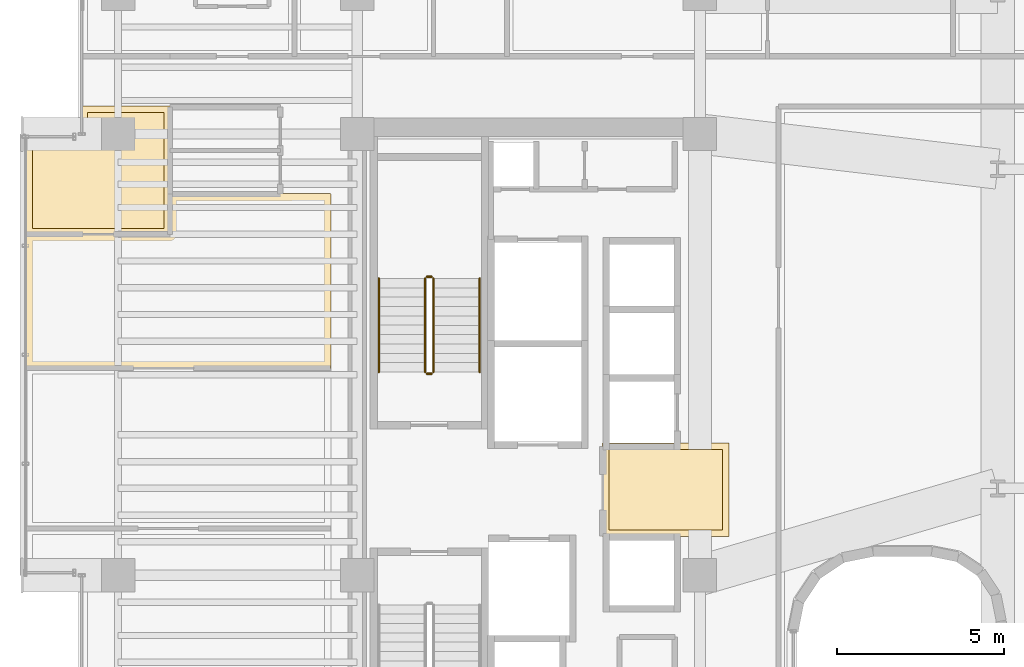
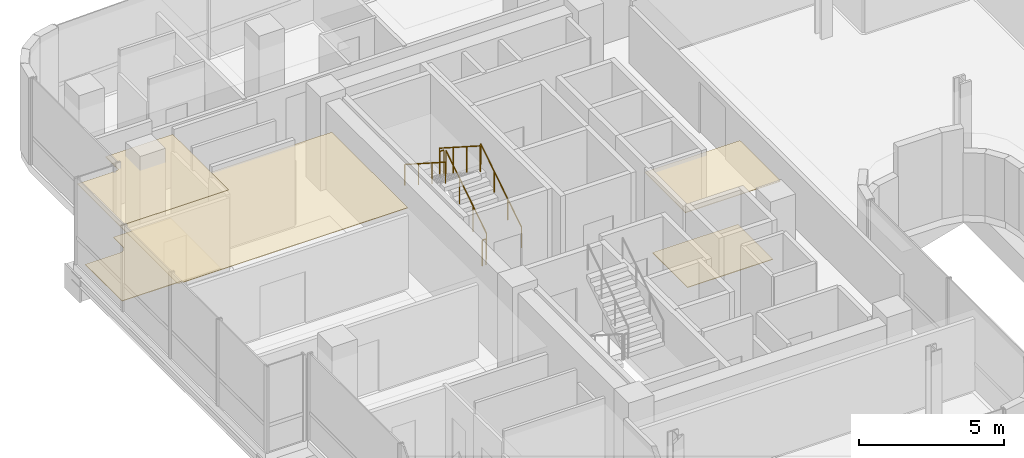
# One storey, part 33 of 38: 6 railings, 5 coverings.
"""IFC4 building model written with IfcOpenShell, lengths in metres."""

from ifc_helpers import new_model, si_unit, direction, frame, origin, origin_2d, place, context, subcontext, project, spatial, polyline, circle, outline, extrude, material, layer, layer_set, type_object, element, save


model = new_model("IFC4")

# Units and contexts
model_context = context("Model", 3, precision=1e-05, world=origin(), true_north=direction((0.0, 1.0)))
body_context = subcontext(model_context, "Body", "Model", "MODEL_VIEW")
ifc_project = project(units=[si_unit("LENGTHUNIT", "METRE"), si_unit("AREAUNIT", "SQUARE_METRE"), si_unit("VOLUMEUNIT", "CUBIC_METRE"), si_unit("PLANEANGLEUNIT", "RADIAN"), si_unit("MASSUNIT", "GRAM", prefix="KILO")], contexts=[model_context])

# Site, building, storey
site_placement = place(None, origin())
site = spatial("IfcSite", under=ifc_project, at=site_placement, CompositionType="ELEMENT")
building_placement = place(site_placement, origin())
building = spatial("IfcBuilding", under=site, at=building_placement, Name="Valdorenza Pilgrim Sanctuary Tower", CompositionType="ELEMENT")
storey_placement = place(building_placement, frame((0.0, 0.0, 180.5)))
storey = spatial("IfcBuildingStorey", under=building, at=storey_placement, Name="L46", CompositionType="ELEMENT", Elevation=180.5)

# Coverings
ifc_material_1 = material(Name="Micro-perforated acoustic mineral ceiling tile", Category="gypsum")
ifc_layer_1 = layer(ifc_material_1, 0.02490234375, Name="Micro-perforated acoustic mineral ceiling tile")
ifc_layer_set_1 = layer_set([ifc_layer_1], Name="Micro-perforated acoustic mineral ceiling tile")
covering_type_1 = type_object("IfcCoveringType", Name="COV-CLG-ACU", PredefinedType="CEILING", material=ifc_layer_set_1)
covering_1_placement = place(storey_placement, frame((0.0, 0.0, 3.330078125)))
element("IfcCovering", 1, at=covering_1_placement, inside=storey, type_object=covering_type_1, Name="L46 Core A Passenger Lift Lobby Acoustic Ceiling", PredefinedType="CEILING", context=body_context, shape_type="SweptSolid", body=[
    extrude(outline(polyline([(-15.31298828125, 1.244384765625), (-15.31298828125, 1.24462890625), (-15.313720703125, 1.24609375), (-15.314208984375, 1.24755859375), (-15.314697265625, 1.2490234375), (-15.31494140625, 1.25048828125), (-15.31494140625, 1.251953125), (-15.31494140625, 1.35009765625), (-15.31494140625, 1.3515625), (-15.314697265625, 1.352783203125), (-15.314453125, 1.3544921875), (-15.31396484375, 1.355712890625), (-15.313232421875, 1.357177734375), (-15.3125, 1.3583984375), (-15.3115234375, 1.359619140625), (-15.310546875, 1.360595703125), (-15.3095703125, 1.361572265625), (-15.308349609375, 1.362548828125), (-15.30712890625, 1.36328125), (-15.3056640625, 1.364013671875), (-15.304443359375, 1.364501953125), (-15.302978515625, 1.36474609375), (-15.301513671875, 1.364990234375), (-15.300048828125, 1.364990234375), (-15.10205078125, 1.364990234375), (-15.1005859375, 1.364990234375), (-15.09912109375, 1.36474609375), (-15.097412109375, 1.3642578125), (-15.09619140625, 1.36376953125), (-15.0947265625, 1.363037109375), (-15.094482421875, 1.363037109375), (-13.185546875, 1.363037109375), (-13.185302734375, 1.363037109375), (-13.183837890625, 1.36376953125), (-13.1826171875, 1.3642578125), (-13.180908203125, 1.36474609375), (-13.179443359375, 1.364990234375), (-13.177978515625, 1.364990234375), (-11.550048828125, 1.364990234375), (-11.548583984375, 1.364990234375), (-11.547119140625, 1.36474609375), (-11.545654296875, 1.364501953125), (-11.544189453125, 1.364013671875), (-11.54296875, 1.36328125), (-11.541748046875, 1.362548828125), (-11.54052734375, 1.361572265625), (-11.539306640625, 1.360595703125), (-11.538330078125, 1.359619140625), (-11.53759765625, 1.3583984375), (-11.536865234375, 1.357177734375), (-11.5361328125, 1.355712890625), (-11.53564453125, 1.3544921875), (-11.535400390625, 1.352783203125), (-11.53515625, 1.3515625), (-11.534912109375, 1.35009765625), (-11.534912109375, -1.419921875), (-11.53515625, -1.42138671875), (-11.535400390625, -1.4228515625), (-11.53564453125, -1.42431640625), (-11.5361328125, -1.42578125), (-11.536865234375, -1.427001953125), (-11.53759765625, -1.42822265625), (-11.538330078125, -1.429443359375), (-11.539306640625, -1.4306640625), (-11.54052734375, -1.431640625), (-11.541748046875, -1.4326171875), (-11.54296875, -1.43310546875), (-11.544189453125, -1.433837890625), (-11.545654296875, -1.434326171875), (-11.547119140625, -1.434814453125), (-11.548583984375, -1.434814453125), (-11.550048828125, -1.43505859375), (-15.298095703125, -1.43505859375), (-15.299560546875, -1.434814453125), (-15.30078125, -1.434814453125), (-15.302490234375, -1.434326171875), (-15.3037109375, -1.433837890625), (-15.30517578125, -1.43310546875), (-15.306396484375, -1.4326171875), (-15.3076171875, -1.431640625), (-15.30859375, -1.4306640625), (-15.3095703125, -1.429443359375), (-15.310546875, -1.42822265625), (-15.311279296875, -1.427001953125), (-15.31201171875, -1.42578125), (-15.3125, -1.42431640625), (-15.312744140625, -1.4228515625), (-15.31298828125, -1.42138671875), (-15.31298828125, -1.419921875), (-15.31298828125, 1.244384765625)])), origin(), (0.0, 0.0, 1.0), 0.02490234375),
])
covering_2_placement = place(storey_placement, frame((0.0, 0.0, 3.330078125)))
element("IfcCovering", 2, at=covering_2_placement, inside=storey, type_object=covering_type_1, Name="L46 Pilgrim Scholar Office L46-1 Acoustic Ceiling", PredefinedType="CEILING", context=body_context, shape_type="SweptSolid", body=[
    extrude(outline(polyline([(-28.237060546875, 8.805419921875), (-28.23681640625, 8.805419921875), (-28.236083984375, 8.803955078125), (-28.235595703125, 8.802490234375), (-28.2353515625, 8.801025390625), (-28.235107421875, 8.799560546875), (-28.235107421875, 8.798095703125), (-28.235107421875, 7.60009765625), (-28.235107421875, 7.598388671875), (-28.2353515625, 7.59716796875), (-28.235595703125, 7.595703125), (-28.236083984375, 7.59423828125), (-28.23681640625, 7.593017578125), (-28.237548828125, 7.591796875), (-28.23828125, 7.590576171875), (-28.239501953125, 7.58935546875), (-28.240478515625, 7.58837890625), (-28.24169921875, 7.58740234375), (-28.242919921875, 7.5869140625), (-28.244384765625, 7.586181640625), (-28.24560546875, 7.585693359375), (-28.2470703125, 7.585205078125), (-28.24853515625, 7.585205078125), (-28.25, 7.5849609375), (-32.5400390625, 7.5849609375), (-32.54150390625, 7.585205078125), (-32.54296875, 7.585205078125), (-32.54443359375, 7.585693359375), (-32.545654296875, 7.586181640625), (-32.547119140625, 7.5869140625), (-32.54833984375, 7.58740234375), (-32.549560546875, 7.58837890625), (-32.550537109375, 7.58935546875), (-32.551513671875, 7.590576171875), (-32.552490234375, 7.591796875), (-32.55322265625, 7.593017578125), (-32.553955078125, 7.59423828125), (-32.554443359375, 7.595703125), (-32.5546875, 7.59716796875), (-32.554931640625, 7.598388671875), (-32.554931640625, 7.60009765625), (-32.554931640625, 10.489990234375), (-32.554931640625, 10.491455078125), (-32.5546875, 10.492919921875), (-32.554443359375, 10.494384765625), (-32.553955078125, 10.49560546875), (-32.55322265625, 10.4970703125), (-32.552490234375, 10.498291015625), (-32.551513671875, 10.49951171875), (-32.550537109375, 10.50048828125), (-32.549560546875, 10.501708984375), (-32.54833984375, 10.50244140625), (-32.547119140625, 10.503173828125), (-32.545654296875, 10.50390625), (-32.54443359375, 10.50439453125), (-32.54296875, 10.504638671875), (-32.54150390625, 10.5048828125), (-32.5400390625, 10.5048828125), (-31.00048828125, 10.5048828125), (-30.99072265625, 10.505615234375), (-30.9814453125, 10.5068359375), (-30.972412109375, 10.509033203125), (-30.963623046875, 10.51220703125), (-30.955078125, 10.51611328125), (-30.947265625, 10.52099609375), (-30.939697265625, 10.526611328125), (-30.932861328125, 10.53271484375), (-30.926513671875, 10.539794921875), (-30.9208984375, 10.547119140625), (-30.916259765625, 10.55517578125), (-30.912109375, 10.563720703125), (-30.9091796875, 10.572509765625), (-30.90673828125, 10.58154296875), (-30.905517578125, 10.5908203125), (-30.905029296875, 10.600341796875), (-30.905029296875, 11.419921875), (-30.90478515625, 11.42138671875), (-30.90478515625, 11.4228515625), (-30.904296875, 11.42431640625), (-30.90380859375, 11.42578125), (-30.9033203125, 11.427001953125), (-30.902587890625, 11.42822265625), (-30.901611328125, 11.429443359375), (-30.900634765625, 11.4306640625), (-30.8994140625, 11.431640625), (-30.898193359375, 11.4326171875), (-30.897216796875, 11.43310546875), (-30.895751953125, 11.433837890625), (-30.894287109375, 11.434326171875), (-30.892822265625, 11.434814453125), (-30.8916015625, 11.434814453125), (-30.889892578125, 11.43505859375), (-28.25, 11.43505859375), (-28.24853515625, 11.434814453125), (-28.2470703125, 11.434814453125), (-28.24560546875, 11.434326171875), (-28.244384765625, 11.433837890625), (-28.242919921875, 11.43310546875), (-28.24169921875, 11.4326171875), (-28.240478515625, 11.431640625), (-28.239501953125, 11.4306640625), (-28.23828125, 11.429443359375), (-28.237548828125, 11.42822265625), (-28.23681640625, 11.427001953125), (-28.236083984375, 11.42578125), (-28.235595703125, 11.42431640625), (-28.2353515625, 11.4228515625), (-28.235107421875, 11.42138671875), (-28.235107421875, 11.419921875), (-28.235107421875, 11.402099609375), (-28.235107421875, 11.400390625), (-28.2353515625, 11.39892578125), (-28.235595703125, 11.3974609375), (-28.236083984375, 11.39599609375), (-28.23681640625, 11.394775390625), (-28.237060546875, 11.39453125), (-28.237060546875, 10.103759765625), (-28.23681640625, 10.10302734375), (-28.23681640625, 10.1015625), (-28.23681640625, 10.10009765625), (-28.23681640625, 10.098388671875), (-28.237060546875, 10.09814453125), (-28.237060546875, 8.805419921875)])), origin(), (0.0, 0.0, 1.0), 0.02490234375),
])
covering_3_placement = place(storey_placement, frame((0.0, 0.0, 3.330078125)))
element("IfcCovering", 3, at=covering_3_placement, inside=storey, type_object=covering_type_1, Name="L46 North Contemplation Salon L46 Acoustic Ceiling", PredefinedType="CEILING", context=body_context, shape_type="SweptSolid", body=[
    extrude(outline(polyline([(-28.262939453125, 7.613037109375), (-28.262939453125, 8.798095703125), (-28.262939453125, 8.799560546875), (-28.2626953125, 8.80078125), (-28.262451171875, 8.802490234375), (-28.261962890625, 8.8037109375), (-28.26123046875, 8.80517578125), (-28.260498046875, 8.806396484375), (-28.259521484375, 8.8076171875), (-28.258544921875, 8.80859375), (-28.257568359375, 8.8095703125), (-28.25634765625, 8.810546875), (-28.255126953125, 8.811279296875), (-28.253662109375, 8.81201171875), (-28.25244140625, 8.8125), (-28.2509765625, 8.812744140625), (-28.24951171875, 8.81298828125), (-28.248046875, 8.81298828125), (-24.955322265625, 8.81298828125), (-24.954833984375, 8.813232421875), (-24.95361328125, 8.81396484375), (-24.9521484375, 8.814453125), (-24.95068359375, 8.814697265625), (-24.949462890625, 8.81494140625), (-24.947998046875, 8.81494140625), (-23.449951171875, 8.81494140625), (-23.448486328125, 8.81494140625), (-23.447021484375, 8.814697265625), (-23.445556640625, 8.814453125), (-23.4443359375, 8.81396484375), (-23.44287109375, 8.813232421875), (-23.441650390625, 8.8125), (-23.4404296875, 8.8115234375), (-23.439453125, 8.810546875), (-23.4384765625, 8.8095703125), (-23.4375, 8.808349609375), (-23.436767578125, 8.80712890625), (-23.43603515625, 8.8056640625), (-23.435546875, 8.804443359375), (-23.435302734375, 8.802978515625), (-23.43505859375, 8.801513671875), (-23.43505859375, 8.800048828125), (-23.43505859375, 3.60205078125), (-23.43505859375, 3.6005859375), (-23.435302734375, 3.59912109375), (-23.435546875, 3.59765625), (-23.43603515625, 3.59619140625), (-23.436767578125, 3.594970703125), (-23.4375, 3.59375), (-23.4384765625, 3.592529296875), (-23.439453125, 3.59130859375), (-23.4404296875, 3.59033203125), (-23.441650390625, 3.589599609375), (-23.44287109375, 3.5888671875), (-23.4443359375, 3.588134765625), (-23.445556640625, 3.587646484375), (-23.447021484375, 3.58740234375), (-23.448486328125, 3.587158203125), (-23.449951171875, 3.5869140625), (-32.5400390625, 3.5869140625), (-32.54150390625, 3.587158203125), (-32.54296875, 3.58740234375), (-32.54443359375, 3.587646484375), (-32.545654296875, 3.588134765625), (-32.547119140625, 3.5888671875), (-32.54833984375, 3.589599609375), (-32.549560546875, 3.59033203125), (-32.550537109375, 3.59130859375), (-32.551513671875, 3.592529296875), (-32.552490234375, 3.59375), (-32.55322265625, 3.594970703125), (-32.553955078125, 3.59619140625), (-32.554443359375, 3.59765625), (-32.5546875, 3.59912109375), (-32.554931640625, 3.6005859375), (-32.554931640625, 3.60205078125), (-32.554931640625, 7.597900390625), (-32.554931640625, 7.599609375), (-32.5546875, 7.600830078125), (-32.554443359375, 7.602294921875), (-32.553955078125, 7.603759765625), (-32.55322265625, 7.60498046875), (-32.552490234375, 7.606201171875), (-32.551513671875, 7.607421875), (-32.550537109375, 7.608642578125), (-32.549560546875, 7.609619140625), (-32.54833984375, 7.610595703125), (-32.547119140625, 7.611083984375), (-32.545654296875, 7.61181640625), (-32.54443359375, 7.6123046875), (-32.54296875, 7.61279296875), (-32.54150390625, 7.61279296875), (-32.5400390625, 7.613037109375), (-28.262939453125, 7.613037109375)])), origin(), (0.0, 0.0, 1.0), 0.02490234375),
])
ifc_material_2 = material(Name="Honed travertine stone flooring", Category="masonry")
ifc_layer_2 = layer(ifc_material_2, 0.030029296875, Name="Honed travertine stone flooring")
ifc_layer_set_2 = layer_set([ifc_layer_2], Name="Honed travertine stone flooring")
covering_type_2 = type_object("IfcCoveringType", Name="COV-FLR-TRV", PredefinedType="FLOORING", material=ifc_layer_set_2)
covering_4_placement = place(storey_placement, origin())
element("IfcCovering", 4, at=covering_4_placement, inside=storey, type_object=covering_type_2, Name="L46 Core A Passenger Lift Lobby Flooring", PredefinedType="FLOORING", context=body_context, shape_type="SweptSolid", body=[
    extrude(outline(polyline([(-15.117919921875, 1.169189453125), (-15.10888671875, 1.168212890625), (-15.10888671875, 1.168212890625), (-15.10009765625, 1.16796875), (-13.179931640625, 1.16796875), (-13.1796875, 1.16796875), (-11.72998046875, 1.169921875), (-11.72998046875, -1.239990234375), (-15.117919921875, -1.239990234375), (-15.117919921875, 1.169189453125)])), origin(), (0.0, 0.0, 1.0), 0.02490234375),
])
covering_5_placement = place(storey_placement, origin())
element("IfcCovering", 5, at=covering_5_placement, inside=storey, type_object=covering_type_2, Name="L46 Pilgrim Scholar Office L46-1 Flooring", PredefinedType="FLOORING", context=body_context, shape_type="SweptSolid", body=[
    extrude(outline(polyline([(-28.431884765625, 11.239990234375), (-28.431884765625, 10.10205078125), (-28.431884765625, 10.10107421875), (-28.431884765625, 10.100341796875), (-28.431884765625, 10.10009765625), (-28.431884765625, 8.800048828125), (-28.431884765625, 8.7998046875), (-28.430419921875, 7.780029296875), (-32.360107421875, 7.780029296875), (-32.360107421875, 10.31005859375), (-31.0, 10.31005859375), (-30.9912109375, 10.310302734375), (-30.98046875, 10.310791015625), (-30.962890625, 10.3125), (-30.9521484375, 10.314208984375), (-30.934814453125, 10.3173828125), (-30.92431640625, 10.320068359375), (-30.907470703125, 10.3251953125), (-30.897216796875, 10.328857421875), (-30.880859375, 10.335693359375), (-30.87109375, 10.34033203125), (-30.855712890625, 10.3486328125), (-30.84619140625, 10.35400390625), (-30.831787109375, 10.364013671875), (-30.822998046875, 10.370361328125), (-30.809326171875, 10.381591796875), (-30.80126953125, 10.388916015625), (-30.788818359375, 10.4013671875), (-30.781494140625, 10.4091796875), (-30.7705078125, 10.423095703125), (-30.763916015625, 10.431640625), (-30.754150390625, 10.4462890625), (-30.74853515625, 10.45556640625), (-30.740234375, 10.47119140625), (-30.735595703125, 10.48095703125), (-30.72900390625, 10.497314453125), (-30.725341796875, 10.50732421875), (-30.72021484375, 10.5244140625), (-30.717529296875, 10.534912109375), (-30.714111328125, 10.552001953125), (-30.71240234375, 10.562744140625), (-30.710693359375, 10.580322265625), (-30.710205078125, 10.59130859375), (-30.7099609375, 10.60009765625), (-30.7099609375, 11.239990234375), (-28.431884765625, 11.239990234375)])), origin(), (0.0, 0.0, 1.0), 0.02490234375),
])

# Railings
ifc_material_3 = material(Name="Stainless steel Grade 316", Category="steel")
railing_type_1 = type_object("IfcRailingType", Name="RLG-GRD-1120", PredefinedType="GUARDRAIL", material=ifc_material_3)
railing_1_placement = place(storey_placement, frame((-20.3701171875, 3.47998046875, 0.179443359375)))
element("IfcRailing", 6, at=railing_1_placement, inside=storey, type_object=railing_type_1, Name="L46 ST-A1 stair guard 1", PredefinedType="GUARDRAIL", context=body_context, shape_type="SweptSolid", body=[
    extrude(circle(Radius=0.02392578125, at=origin_2d()), frame((0.0, 0.0, 1.076171875), z_axis=(0.0, 0.841776520102, 0.539826166654), x_axis=(-1.0, 0.0, 0.0)), (0.0, 0.0, 1.0), 3.326416015625),
    extrude(circle(Radius=0.02099609375, at=origin_2d()), origin(), (0.0, 0.0, 1.0), 1.052001953125),
    extrude(circle(Radius=0.02099609375, at=origin_2d()), frame((0.0, 0.933349609375, 0.5986328125)), (0.0, 0.0, 1.0), 1.052001953125),
    extrude(circle(Radius=0.02099609375, at=origin_2d()), frame((0.0, 1.86669921875, 1.197021484375)), (0.0, 0.0, 1.0), 1.052001953125),
    extrude(circle(Radius=0.02099609375, at=origin_2d()), frame((0.0, 2.800048828125, 1.795654296875)), (0.0, 0.0, 1.0), 1.052001953125),
])
railing_2_placement = place(storey_placement, frame((-20.419921875, 6.330078125, 1.97509765625)))
element("IfcRailing", 7, at=railing_2_placement, inside=storey, type_object=railing_type_1, Name="L46 ST-A1 stair guard 2", PredefinedType="GUARDRAIL", context=body_context, shape_type="SweptSolid", body=[
    extrude(circle(Radius=0.02392578125, at=origin_2d()), frame((0.0, 0.0, 1.076171875), z_axis=(-1.0, 0.0, 0.0), x_axis=(0.0, -1.0, 0.0)), (0.0, 0.0, 1.0), 0.150146484375),
    extrude(circle(Radius=0.02099609375, at=origin_2d()), origin(), (0.0, 0.0, 1.0), 1.052001953125),
    extrude(circle(Radius=0.02099609375, at=origin_2d()), frame((-0.150146484375, 0.0, 0.0)), (0.0, 0.0, 1.0), 1.052001953125),
])
railing_3_placement = place(storey_placement, frame((-20.6201171875, 6.280029296875, 2.154541015625)))
element("IfcRailing", 8, at=railing_3_placement, inside=storey, type_object=railing_type_1, Name="L46 ST-A1 stair guard 3", PredefinedType="GUARDRAIL", context=body_context, shape_type="SweptSolid", body=[
    extrude(circle(Radius=0.02392578125, at=origin_2d()), frame((0.0, 0.0, 1.076171875), z_axis=(0.0, -0.841809871826, 0.539774156196), x_axis=(1.0, 0.0, 0.0)), (0.0, 0.0, 1.0), 3.326171875),
    extrude(circle(Radius=0.02099609375, at=origin_2d()), origin(), (0.0, 0.0, 1.0), 1.052001953125),
    extrude(circle(Radius=0.02099609375, at=origin_2d()), frame((0.0, -0.933349609375, 0.598388671875)), (0.0, 0.0, 1.0), 1.052001953125),
    extrude(circle(Radius=0.02099609375, at=origin_2d()), frame((0.0, -1.86669921875, 1.197021484375)), (0.0, 0.0, 1.0), 1.052001953125),
    extrude(circle(Radius=0.02099609375, at=origin_2d()), frame((0.0, -2.800048828125, 1.79541015625)), (0.0, 0.0, 1.0), 1.052001953125),
])
railing_4_placement = place(storey_placement, frame((-20.419921875, 3.429931640625, 0.0)))
element("IfcRailing", 9, at=railing_4_placement, inside=storey, type_object=railing_type_1, Name="L46 ST-A1 stair guard 4", PredefinedType="GUARDRAIL", context=body_context, shape_type="SweptSolid", body=[
    extrude(circle(Radius=0.02392578125, at=origin_2d()), frame((0.0, 0.0, 1.076171875), z_axis=(-1.0, 0.0, 0.0), x_axis=(0.0, -1.0, 0.0)), (0.0, 0.0, 1.0), 0.150146484375),
    extrude(circle(Radius=0.02099609375, at=origin_2d()), origin(), (0.0, 0.0, 1.0), 1.052001953125),
    extrude(circle(Radius=0.02099609375, at=origin_2d()), frame((-0.150146484375, 0.0, 0.0)), (0.0, 0.0, 1.0), 1.052001953125),
])
ifc_material_4 = material(Name="Brushed stainless steel Grade 316", Category="steel")
railing_type_2 = type_object("IfcRailingType", Name="RLG-HND-920", PredefinedType="HANDRAIL", material=ifc_material_4)
railing_5_placement = place(storey_placement, frame((-18.989990234375, 3.47998046875, 0.179443359375)))
element("IfcRailing", 10, at=railing_5_placement, inside=storey, type_object=railing_type_2, Name="L46 ST-A1 stair handrail 1", PredefinedType="HANDRAIL", context=body_context, shape_type="SweptSolid", body=[
    extrude(circle(Radius=0.02392578125, at=origin_2d()), frame((0.0, 0.0, 0.8759765625), z_axis=(0.0, 0.841776520102, 0.539826166654), x_axis=(-1.0, 0.0, 0.0)), (0.0, 0.0, 1.0), 3.326416015625),
    extrude(circle(Radius=0.02099609375, at=origin_2d()), origin(), (0.0, 0.0, 1.0), 0.851806640625),
    extrude(circle(Radius=0.02099609375, at=origin_2d()), frame((0.0, 0.933349609375, 0.5986328125)), (0.0, 0.0, 1.0), 0.851806640625),
    extrude(circle(Radius=0.02099609375, at=origin_2d()), frame((0.0, 1.86669921875, 1.197021484375)), (0.0, 0.0, 1.0), 0.851806640625),
    extrude(circle(Radius=0.02099609375, at=origin_2d()), frame((0.0, 2.800048828125, 1.795654296875)), (0.0, 0.0, 1.0), 0.851806640625),
])
railing_6_placement = place(storey_placement, frame((-22.0, 6.280029296875, 2.154541015625)))
element("IfcRailing", 11, at=railing_6_placement, inside=storey, type_object=railing_type_2, Name="L46 ST-A1 stair handrail 2", PredefinedType="HANDRAIL", context=body_context, shape_type="SweptSolid", body=[
    extrude(circle(Radius=0.02392578125, at=origin_2d()), frame((0.0, 0.0, 0.8759765625), z_axis=(0.0, -0.841809871826, 0.539774156196), x_axis=(1.0, 0.0, 0.0)), (0.0, 0.0, 1.0), 3.326171875),
    extrude(circle(Radius=0.02099609375, at=origin_2d()), origin(), (0.0, 0.0, 1.0), 0.851806640625),
    extrude(circle(Radius=0.02099609375, at=origin_2d()), frame((0.0, -0.933349609375, 0.598388671875)), (0.0, 0.0, 1.0), 0.851806640625),
    extrude(circle(Radius=0.02099609375, at=origin_2d()), frame((0.0, -1.86669921875, 1.197021484375)), (0.0, 0.0, 1.0), 0.851806640625),
    extrude(circle(Radius=0.02099609375, at=origin_2d()), frame((0.0, -2.800048828125, 1.79541015625)), (0.0, 0.0, 1.0), 0.851806640625),
])

save(model, "model.ifc")
